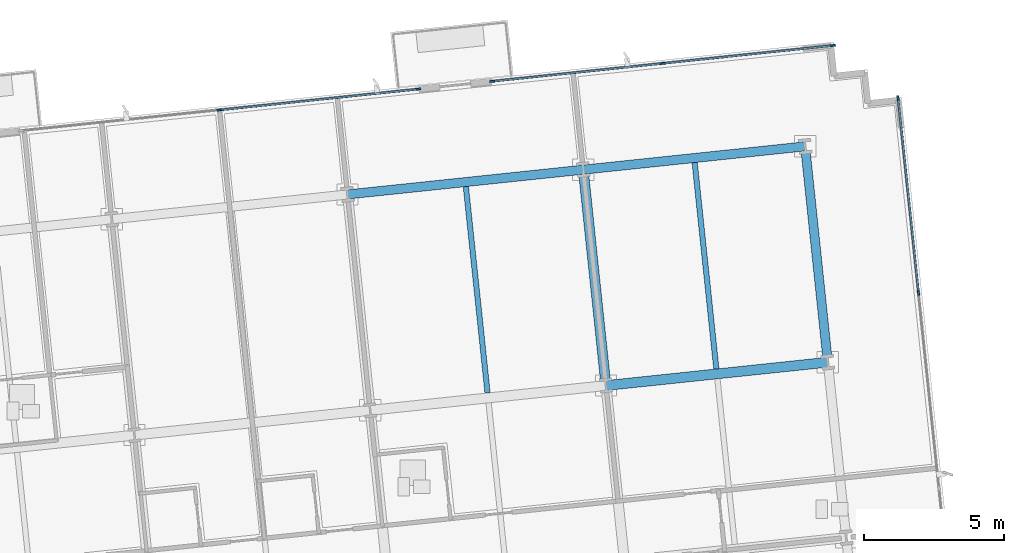
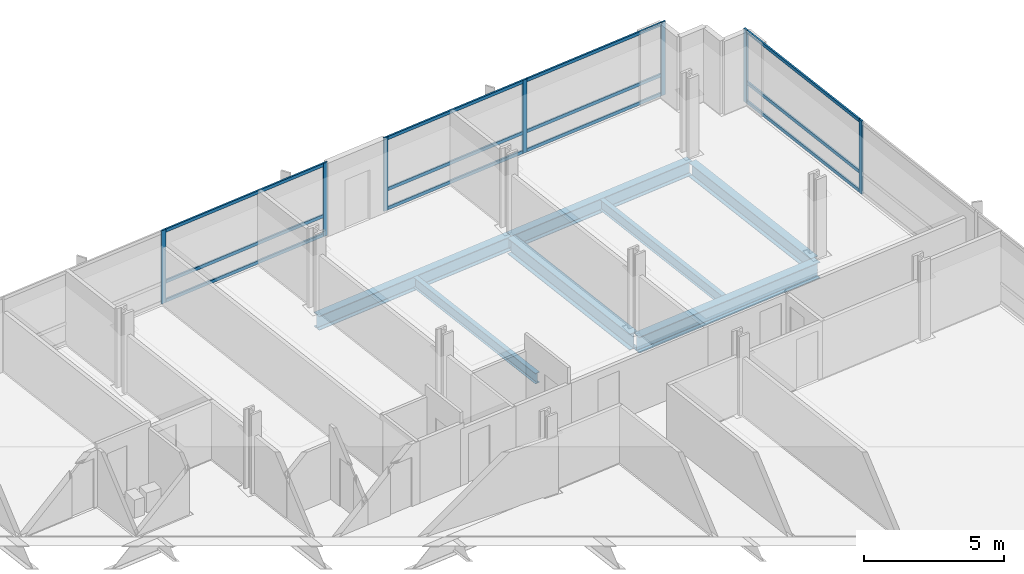
# One storey, part 8 of 17: 19 members, 7 beams, 3 elements without a shape of their own.
"""IFC4 building model written with IfcOpenShell, lengths in metres."""

from ifc_helpers import new_model, si_unit, direction, frame, origin, origin_2d, place, context, subcontext, project, spatial, rectangle, i_section, extrude, material, material_profile, profile_set, type_object, element, aggregate, save


model = new_model("IFC4")

# Units and contexts
model_context = context("Model", 3, precision=1e-05, world=origin(), true_north=direction((0.0, 1.0)))
body_context = subcontext(model_context, "Body", "Model", "MODEL_VIEW")
ifc_project = project(units=[si_unit("LENGTHUNIT", "METRE"), si_unit("AREAUNIT", "SQUARE_METRE"), si_unit("VOLUMEUNIT", "CUBIC_METRE"), si_unit("PLANEANGLEUNIT", "RADIAN"), si_unit("MASSUNIT", "GRAM", prefix="KILO")], contexts=[model_context])

# Site, building, storey
site_placement = place(None, origin())
site = spatial("IfcSite", under=ifc_project, at=site_placement, CompositionType="ELEMENT")
building_placement = place(site_placement, origin())
building = spatial("IfcBuilding", under=site, at=building_placement, Name="Solmavex Isthmus Hotel", CompositionType="ELEMENT")
storey_placement = place(building_placement, frame((0.0, 0.0, 93.89990234375)))
storey = spatial("IfcBuildingStorey", under=building, at=storey_placement, Name="L25", CompositionType="ELEMENT", Elevation=93.89990234375)

# Beams
ifc_material_1 = material(Name="Steel ASTM A992 Grade 50", Category="steel")
ifc_material_profile_1 = material_profile(ifc_material_1, i_section(OverallWidth=0.354736328125, OverallDepth=0.695556640625, WebThickness=0.015380859375, FlangeThickness=0.02490234375, FilletRadius=0.017822265625, at=origin_2d()), Name="W27X146")
ifc_profile_set_1 = profile_set([ifc_material_profile_1], Name="Steel ASTM A992 Grade 50")
beam_type_1 = type_object("IfcBeamType", Name="BM-BG-W27X146", PredefinedType="BEAM", material=ifc_profile_set_1)
beam_1_placement = place(storey_placement, frame((20.5615234375, 11.921875, -0.607666015625), z_axis=(0.994523402738, 0.104514120609, 0.0), x_axis=(-0.104514120609, 0.994523402738, 0.0)))
element("IfcBeam", 1, at=beam_1_placement, inside=storey, type_object=beam_type_1, Name="Floor Girder L25-UG18", PredefinedType="BEAM", context=body_context, shape_type="SweptSolid", body=[
    extrude(i_section(OverallWidth=0.354736328125, OverallDepth=0.695556640625, WebThickness=0.015380859375, FlangeThickness=0.02490234375, FilletRadius=0.017822265625, at=origin_2d()), origin(), (0.0, 0.0, 1.0), 7.968017578125),
])
beam_2_placement = place(storey_placement, frame((20.54296875, 12.098388671875, -0.607666015625), z_axis=(-0.1045578893, 0.994518802128, 0.0), x_axis=(-0.994518802128, -0.1045578893, 0.0)))
element("IfcBeam", 2, at=beam_2_placement, inside=storey, type_object=beam_type_1, Name="Floor Beam L25-VG45", PredefinedType="BEAM", context=body_context, shape_type="SweptSolid", body=[
    extrude(i_section(OverallWidth=0.354736328125, OverallDepth=0.695556640625, WebThickness=0.015380859375, FlangeThickness=0.02490234375, FilletRadius=0.017822265625, at=origin_2d()), origin(), (0.0, 0.0, 1.0), 7.4111328125),
])
ifc_material_profile_2 = material_profile(ifc_material_1, i_section(OverallWidth=0.1904296875, OverallDepth=0.456787109375, WebThickness=0.009033203125, FlangeThickness=0.014404296875, FilletRadius=0.0126953125, at=origin_2d()), Name="W18X50")
ifc_profile_set_2 = profile_set([ifc_material_profile_2], Name="Steel ASTM A992 Grade 50")
beam_type_2 = type_object("IfcBeamType", Name="BM-BJ-W18X50", PredefinedType="JOIST", material=ifc_profile_set_2)
for number, where, z_axis, x_axis, name in (
    (3, (16.3330078125, 11.65576171875, -0.48828125), (-0.10452188296, 0.994522586964, 0.0), (-0.994522586964, -0.10452188296, 0.0), "Secondary Floor Joist L25-J18"),
    (4, (24.505126953125, 12.5146484375, -0.48828125), (-0.10452188296, 0.994522586964, 0.0), (-0.994522586964, -0.10452188296, 0.0), "Secondary Floor Joist L25-J21"),
):
    element("IfcBeam", number, at=place(storey_placement, frame(where, z_axis=z_axis, x_axis=x_axis)), inside=storey, type_object=beam_type_2, Name=name, PredefinedType="JOIST", context=body_context, shape_type="SweptSolid", body=[
        extrude(i_section(OverallWidth=0.1904296875, OverallDepth=0.456787109375, WebThickness=0.009033203125, FlangeThickness=0.014404296875, FilletRadius=0.0126953125, at=origin_2d()), origin(), (0.0, 0.0, 1.0), 7.411376953125),
    ])
ifc_material_profile_3 = material_profile(ifc_material_1, i_section(OverallWidth=0.326416015625, OverallDepth=0.621826171875, WebThickness=0.015380859375, FlangeThickness=0.0244140625, FilletRadius=0.01513671875, at=origin_2d()), Name="W24X131")
ifc_profile_set_3 = profile_set([ifc_material_profile_3], Name="Steel ASTM A992 Grade 50")
beam_type_3 = type_object("IfcBeamType", Name="BM-SP-W24X131", PredefinedType="SPANDREL", material=ifc_profile_set_3)
beam_3_placement = place(storey_placement, frame((11.33154296875, 18.74658203125, -0.57080078125), z_axis=(0.994524082861, 0.104507648572, 0.0), x_axis=(-0.104507648572, 0.994524082861, 0.0)))
element("IfcBeam", 5, at=beam_3_placement, inside=storey, type_object=beam_type_3, Name="Floor Girder L25-UG23", PredefinedType="SPANDREL", context=body_context, shape_type="SweptSolid", body=[
    extrude(i_section(OverallWidth=0.326416015625, OverallDepth=0.621826171875, WebThickness=0.015380859375, FlangeThickness=0.0244140625, FilletRadius=0.01513671875, at=origin_2d()), origin(), (0.0, 0.0, 1.0), 8.466064453125),
])
beam_4_placement = place(storey_placement, frame((19.751220703125, 19.63134765625, -0.57080078125), z_axis=(0.994520217478, 0.10454442609, 0.0), x_axis=(-0.10454442609, 0.994520217478, 0.0)))
element("IfcBeam", 6, at=beam_4_placement, inside=storey, type_object=beam_type_3, Name="Floor Girder L25-UG24", PredefinedType="SPANDREL", context=body_context, shape_type="SweptSolid", body=[
    extrude(i_section(OverallWidth=0.326416015625, OverallDepth=0.621826171875, WebThickness=0.015380859375, FlangeThickness=0.0244140625, FilletRadius=0.01513671875, at=origin_2d()), origin(), (0.0, 0.0, 1.0), 7.968017578125),
])
beam_5_placement = place(storey_placement, frame((28.46728515625, 12.93115234375, -0.57080078125), z_axis=(-0.10452188296, 0.994522586964, 0.0), x_axis=(-0.994522586964, -0.10452188296, 0.0)))
element("IfcBeam", 7, at=beam_5_placement, inside=storey, type_object=beam_type_3, Name="Floor Beam L25-VG48", PredefinedType="SPANDREL", context=body_context, shape_type="SweptSolid", body=[
    extrude(i_section(OverallWidth=0.326416015625, OverallDepth=0.621826171875, WebThickness=0.015380859375, FlangeThickness=0.0244140625, FilletRadius=0.01513671875, at=origin_2d()), origin(), (0.0, 0.0, 1.0), 7.411376953125),
])

# Curtain wall, members
ifc_material_2 = material(Name="Aluminium alloy 6063-T6", Category="aluminium")
curtain_wall_type = type_object("IfcCurtainWallType", Name="CW-SYS-03", PredefinedType="NOTDEFINED", material=ifc_material_2)
curtain_wall_1_placement = place(storey_placement, origin())
curtain_wall_1 = element("IfcCurtainWall", 8, at=curtain_wall_1_placement, inside=storey, type_object=curtain_wall_type, Name="Stick Curtain Wall CWL-L25-N2", PredefinedType="NOTDEFINED")
ifc_material_profile_4 = material_profile(ifc_material_2, rectangle(XDim=0.070068359375, YDim=0.179931640625, at=origin_2d()), Name="CWM-70X180")
ifc_profile_set_4 = profile_set([ifc_material_profile_4], Name="Aluminium alloy 6063-T6")
member_type_1 = type_object("IfcMemberType", Name="CW-SYS-03-MUL", PredefinedType="MULLION", material=ifc_profile_set_4)
member_1_placement = place(storey_placement, frame((6.7578125, 21.764892578125, 0.0), z_axis=(0.0, 0.0, 1.0), x_axis=(-0.10452900389, 0.994521838546, 0.0)))
member_1 = element("IfcMember", 9, at=member_1_placement, type_object=member_type_1, Name="CW-03 mullion 2", PredefinedType="MULLION", context=body_context, shape_type="SweptSolid", body=[
    extrude(rectangle(XDim=0.070068359375, YDim=0.179931640625, at=origin_2d()), origin(), (0.0, 0.0, 1.0), 3.190185546875),
])
member_2_placement = place(storey_placement, frame((13.849853515625, 22.51025390625, 0.0), z_axis=(0.0, 0.0, 1.0), x_axis=(-0.10452900389, 0.994521838546, 0.0)))
member_2 = element("IfcMember", 10, at=member_2_placement, type_object=member_type_1, Name="CW-03 mullion 3", PredefinedType="MULLION", context=body_context, shape_type="SweptSolid", body=[
    extrude(rectangle(XDim=0.070068359375, YDim=0.179931640625, at=origin_2d()), origin(), (0.0, 0.0, 1.0), 3.190185546875),
])

curtain_wall_2_placement = place(storey_placement, origin())
curtain_wall_2 = element("IfcCurtainWall", 11, at=curtain_wall_2_placement, inside=storey, type_object=curtain_wall_type, Name="Stick Curtain Wall CWL-L25-N3", PredefinedType="NOTDEFINED")
member_3_placement = place(storey_placement, frame((16.505126953125, 22.789306640625, 0.0), z_axis=(0.0, 0.0, 1.0), x_axis=(-0.104528123665, 0.994521931062, 0.0)))
member_3 = element("IfcMember", 12, at=member_3_placement, type_object=member_type_1, Name="CW-03 mullion 1", PredefinedType="MULLION", context=body_context, shape_type="SweptSolid", body=[
    extrude(rectangle(XDim=0.070068359375, YDim=0.179931640625, at=origin_2d()), origin(), (0.0, 0.0, 1.0), 3.190185546875),
])
member_4_placement = place(storey_placement, frame((22.587158203125, 23.4287109375, 0.0), z_axis=(0.0, 0.0, 1.0), x_axis=(-0.104528123665, 0.994521931062, 0.0)))
member_4 = element("IfcMember", 13, at=member_4_placement, type_object=member_type_1, Name="CW-03 mullion 2", PredefinedType="MULLION", context=body_context, shape_type="SweptSolid", body=[
    extrude(rectangle(XDim=0.070068359375, YDim=0.179931640625, at=origin_2d()), origin(), (0.0, 0.0, 1.0), 3.190185546875),
])
member_5_placement = place(storey_placement, frame((28.669189453125, 24.06787109375, 0.0), z_axis=(0.0, 0.0, 1.0), x_axis=(-0.104528123665, 0.994521931062, 0.0)))
member_5 = element("IfcMember", 14, at=member_5_placement, type_object=member_type_1, Name="CW-03 mullion 3", PredefinedType="MULLION", context=body_context, shape_type="SweptSolid", body=[
    extrude(rectangle(XDim=0.070068359375, YDim=0.179931640625, at=origin_2d()), origin(), (0.0, 0.0, 1.0), 3.190185546875),
])

curtain_wall_3_placement = place(storey_placement, origin())
curtain_wall_3 = element("IfcCurtainWall", 15, at=curtain_wall_3_placement, inside=storey, type_object=curtain_wall_type, Name="Stick Curtain Wall CWL-L25-E1", PredefinedType="NOTDEFINED")
member_6_placement = place(storey_placement, frame((31.723876953125, 15.23876953125, 0.0), z_axis=(0.0, 0.0, 1.0), x_axis=(-0.994521893044, -0.104528485381, 0.0)))
member_6 = element("IfcMember", 16, at=member_6_placement, type_object=member_type_1, Name="CW-03 mullion 5", PredefinedType="MULLION", context=body_context, shape_type="SweptSolid", body=[
    extrude(rectangle(XDim=0.070068359375, YDim=0.179931640625, at=origin_2d()), origin(), (0.0, 0.0, 1.0), 3.190185546875),
])
member_7_placement = place(storey_placement, frame((30.99365234375, 22.185546875, 0.0), z_axis=(0.0, 0.0, 1.0), x_axis=(-0.994521893044, -0.104528485381, 0.0)))
member_7 = element("IfcMember", 17, at=member_7_placement, type_object=member_type_1, Name="CW-03 mullion 6", PredefinedType="MULLION", context=body_context, shape_type="SweptSolid", body=[
    extrude(rectangle(XDim=0.070068359375, YDim=0.179931640625, at=origin_2d()), origin(), (0.0, 0.0, 1.0), 3.190185546875),
])

# Member
ifc_material_profile_5 = material_profile(ifc_material_2, rectangle(XDim=0.070068359375, YDim=0.139892578125, at=origin_2d()), Name="CWT-70X140")
ifc_profile_set_5 = profile_set([ifc_material_profile_5], Name="Aluminium alloy 6063-T6")
member_type_2 = type_object("IfcMemberType", Name="CW-SYS-03-TRN", PredefinedType="USERDEFINED", material=ifc_profile_set_5)
member_8_placement = place(storey_placement, frame((6.792724609375, 21.7685546875, 0.070068359375), z_axis=(0.994522301958, 0.104524594751, 0.0), x_axis=(-0.104524594751, 0.994522301958, 0.0)))
member_8 = element("IfcMember", 18, at=member_8_placement, type_object=member_type_2, Name="CW-03 transom 2.1", ObjectType="TRANSOM", PredefinedType="USERDEFINED", context=body_context, shape_type="SweptSolid", body=[
    extrude(rectangle(XDim=0.070068359375, YDim=0.139892578125, at=origin_2d()), origin(), (0.0, 0.0, 1.0), 7.060791015625),
])

member_9_placement = place(storey_placement, frame((6.792724609375, 21.7685546875, 0.900146484375), z_axis=(0.994522301958, 0.104524594751, 0.0), x_axis=(-0.104524594751, 0.994522301958, 0.0)))
member_9 = element("IfcMember", 19, at=member_9_placement, type_object=member_type_2, Name="CW-03 transom 2.2", ObjectType="TRANSOM", PredefinedType="USERDEFINED", context=body_context, shape_type="SweptSolid", body=[
    extrude(rectangle(XDim=0.070068359375, YDim=0.139892578125, at=origin_2d()), origin(), (0.0, 0.0, 1.0), 7.060791015625),
])

member_10_placement = place(storey_placement, frame((6.792724609375, 21.7685546875, 3.1201171875), z_axis=(0.994522301958, 0.104524594751, 0.0), x_axis=(-0.104524594751, 0.994522301958, 0.0)))
member_10 = element("IfcMember", 20, at=member_10_placement, type_object=member_type_2, Name="CW-03 transom 2.3", ObjectType="TRANSOM", PredefinedType="USERDEFINED", context=body_context, shape_type="SweptSolid", body=[
    extrude(rectangle(XDim=0.070068359375, YDim=0.139892578125, at=origin_2d()), origin(), (0.0, 0.0, 1.0), 7.060791015625),
])

aggregate(curtain_wall_1, [member_1, member_2, member_8, member_9, member_10])

member_11_placement = place(storey_placement, frame((16.5400390625, 22.79296875, 0.070068359375), z_axis=(0.994519384638, 0.104552348513, 0.0), x_axis=(-0.104552348513, 0.994519384638, 0.0)))
member_11 = element("IfcMember", 21, at=member_11_placement, type_object=member_type_2, Name="CW-03 transom 1.1", ObjectType="TRANSOM", PredefinedType="USERDEFINED", context=body_context, shape_type="SweptSolid", body=[
    extrude(rectangle(XDim=0.070068359375, YDim=0.139892578125, at=origin_2d()), origin(), (0.0, 0.0, 1.0), 6.045654296875),
])

member_12_placement = place(storey_placement, frame((16.5400390625, 22.79296875, 0.900146484375), z_axis=(0.994519384638, 0.104552348513, 0.0), x_axis=(-0.104552348513, 0.994519384638, 0.0)))
member_12 = element("IfcMember", 22, at=member_12_placement, type_object=member_type_2, Name="CW-03 transom 1.2", ObjectType="TRANSOM", PredefinedType="USERDEFINED", context=body_context, shape_type="SweptSolid", body=[
    extrude(rectangle(XDim=0.070068359375, YDim=0.139892578125, at=origin_2d()), origin(), (0.0, 0.0, 1.0), 6.045654296875),
])

member_13_placement = place(storey_placement, frame((16.5400390625, 22.79296875, 3.1201171875), z_axis=(0.994519384638, 0.104552348513, 0.0), x_axis=(-0.104552348513, 0.994519384638, 0.0)))
member_13 = element("IfcMember", 23, at=member_13_placement, type_object=member_type_2, Name="CW-03 transom 1.3", ObjectType="TRANSOM", PredefinedType="USERDEFINED", context=body_context, shape_type="SweptSolid", body=[
    extrude(rectangle(XDim=0.070068359375, YDim=0.139892578125, at=origin_2d()), origin(), (0.0, 0.0, 1.0), 6.045654296875),
])

member_14_placement = place(storey_placement, frame((22.6220703125, 23.432373046875, 0.070068359375), z_axis=(0.994523582882, 0.104512406403, 0.0), x_axis=(-0.104512406403, 0.994523582882, 0.0)))
member_14 = element("IfcMember", 24, at=member_14_placement, type_object=member_type_2, Name="CW-03 transom 2.1", ObjectType="TRANSOM", PredefinedType="USERDEFINED", context=body_context, shape_type="SweptSolid", body=[
    extrude(rectangle(XDim=0.070068359375, YDim=0.139892578125, at=origin_2d()), origin(), (0.0, 0.0, 1.0), 6.045654296875),
])

member_15_placement = place(storey_placement, frame((22.6220703125, 23.432373046875, 0.900146484375), z_axis=(0.994523582882, 0.104512406403, 0.0), x_axis=(-0.104512406403, 0.994523582882, 0.0)))
member_15 = element("IfcMember", 25, at=member_15_placement, type_object=member_type_2, Name="CW-03 transom 2.2", ObjectType="TRANSOM", PredefinedType="USERDEFINED", context=body_context, shape_type="SweptSolid", body=[
    extrude(rectangle(XDim=0.070068359375, YDim=0.139892578125, at=origin_2d()), origin(), (0.0, 0.0, 1.0), 6.045654296875),
])

member_16_placement = place(storey_placement, frame((22.6220703125, 23.432373046875, 3.1201171875), z_axis=(0.994523582882, 0.104512406403, 0.0), x_axis=(-0.104512406403, 0.994523582882, 0.0)))
member_16 = element("IfcMember", 26, at=member_16_placement, type_object=member_type_2, Name="CW-03 transom 2.3", ObjectType="TRANSOM", PredefinedType="USERDEFINED", context=body_context, shape_type="SweptSolid", body=[
    extrude(rectangle(XDim=0.070068359375, YDim=0.139892578125, at=origin_2d()), origin(), (0.0, 0.0, 1.0), 6.045654296875),
])

aggregate(curtain_wall_2, [member_3, member_4, member_5, member_11, member_12, member_13, member_14, member_15, member_16])

member_17_placement = place(storey_placement, frame((31.72021484375, 15.273681640625, 0.070068359375), z_axis=(-0.104539595565, 0.994520725254, 0.0), x_axis=(-0.994520725254, -0.104539595565, 0.0)))
member_17 = element("IfcMember", 27, at=member_17_placement, type_object=member_type_2, Name="CW-03 transom 5.1", ObjectType="TRANSOM", PredefinedType="USERDEFINED", context=body_context, shape_type="SweptSolid", body=[
    extrude(rectangle(XDim=0.070068359375, YDim=0.139892578125, at=origin_2d()), origin(), (0.0, 0.0, 1.0), 6.9150390625),
])

member_18_placement = place(storey_placement, frame((31.72021484375, 15.273681640625, 0.900146484375), z_axis=(-0.104539595565, 0.994520725254, 0.0), x_axis=(-0.994520725254, -0.104539595565, 0.0)))
member_18 = element("IfcMember", 28, at=member_18_placement, type_object=member_type_2, Name="CW-03 transom 5.2", ObjectType="TRANSOM", PredefinedType="USERDEFINED", context=body_context, shape_type="SweptSolid", body=[
    extrude(rectangle(XDim=0.070068359375, YDim=0.139892578125, at=origin_2d()), origin(), (0.0, 0.0, 1.0), 6.9150390625),
])

member_19_placement = place(storey_placement, frame((31.72021484375, 15.273681640625, 3.1201171875), z_axis=(-0.104539595565, 0.994520725254, 0.0), x_axis=(-0.994520725254, -0.104539595565, 0.0)))
member_19 = element("IfcMember", 29, at=member_19_placement, type_object=member_type_2, Name="CW-03 transom 5.3", ObjectType="TRANSOM", PredefinedType="USERDEFINED", context=body_context, shape_type="SweptSolid", body=[
    extrude(rectangle(XDim=0.070068359375, YDim=0.139892578125, at=origin_2d()), origin(), (0.0, 0.0, 1.0), 6.9150390625),
])

aggregate(curtain_wall_3, [member_6, member_7, member_17, member_18, member_19])

save(model, "model.ifc")
